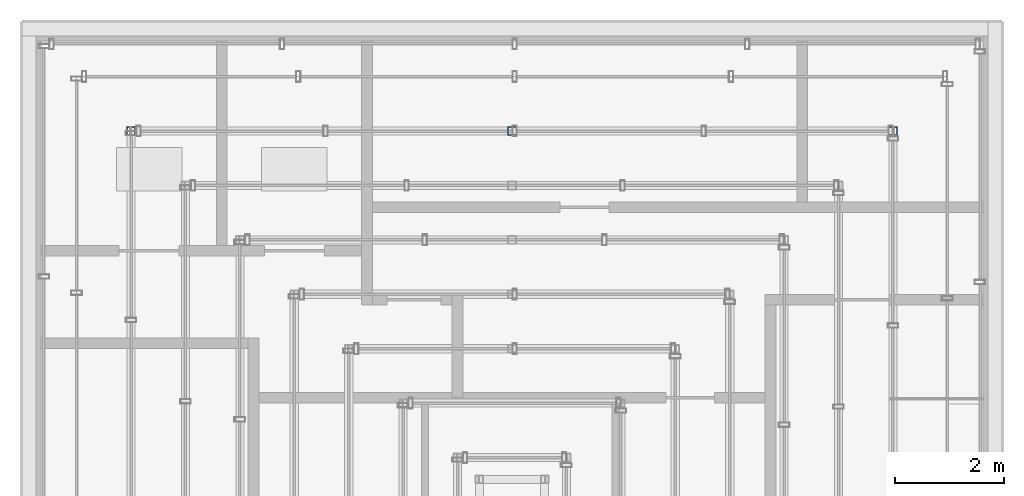
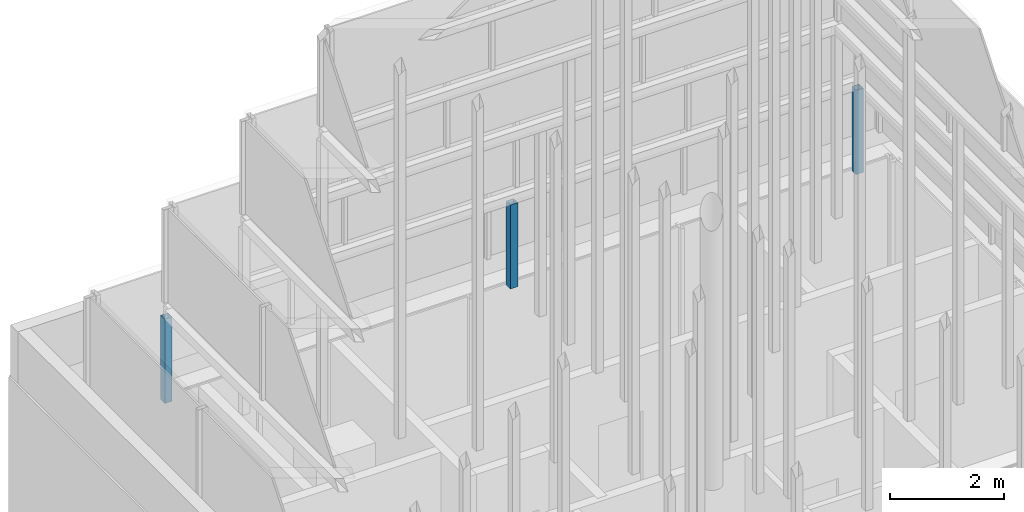
# One storey, part 3 of 24: 3 columns.
"""IFC4 building model written with IfcOpenShell, lengths in metres."""

from ifc_helpers import new_model, si_unit, direction, frame, origin, origin_2d, place, context, subcontext, project, spatial, hollow_rectangle, extrude, material, material_profile, profile_set, type_object, element, save


model = new_model("IFC4")

# Units and contexts
model_context = context("Model", 3, precision=1e-05, world=origin(), true_north=direction((0.0, 1.0)))
body_context = subcontext(model_context, "Body", "Model", "MODEL_VIEW")
ifc_project = project(units=[si_unit("LENGTHUNIT", "METRE"), si_unit("AREAUNIT", "SQUARE_METRE"), si_unit("VOLUMEUNIT", "CUBIC_METRE"), si_unit("PLANEANGLEUNIT", "RADIAN"), si_unit("MASSUNIT", "GRAM", prefix="KILO")], contexts=[model_context])

# Site, building, storey
site_placement = place(None, origin())
site = spatial("IfcSite", under=ifc_project, at=site_placement, CompositionType="ELEMENT")
building_placement = place(site_placement, origin())
building = spatial("IfcBuilding", under=site, at=building_placement, Name="Altepetl Exchange Towers", CompositionType="ELEMENT")
storey_placement = place(building_placement, frame((0.0, 0.0, 279.10009765625)))
storey = spatial("IfcBuildingStorey", under=building, at=storey_placement, Name="L70 Crown plant", CompositionType="ELEMENT", Elevation=279.10009765625)

# Columns
ifc_material = material(Name="Steel S355", Category="steel")
ifc_material_profile = material_profile(ifc_material, hollow_rectangle(XDim=0.14990234375, YDim=0.14990234375, WallThickness=0.008056640625, at=origin_2d()), Name="RHS 150x150x8")
ifc_profile_set = profile_set([ifc_material_profile], Name="Steel S355")
column_type = type_object("IfcColumnType", Name="Crown post hollow section 150x150x8", PredefinedType="COLUMN", material=ifc_profile_set)
for number, where, name in (
    (1, (56.5, 56.5, 4.5), "Crown post"),
    (2, (49.5, 56.5, 4.5), "Crown post"),
    (3, (42.5, 56.5, 4.5), "Crown post"),
):
    element("IfcColumn", number, at=place(storey_placement, frame(where)), inside=storey, type_object=column_type, Name=name, PredefinedType="COLUMN", context=body_context, shape_type="SweptSolid", body=[
        extrude(hollow_rectangle(XDim=0.14990234375, YDim=0.14990234375, WallThickness=0.008056640625, at=origin_2d()), origin(), (0.0, 0.0, 1.0), 1.7998046875),
    ])

save(model, "model.ifc")
